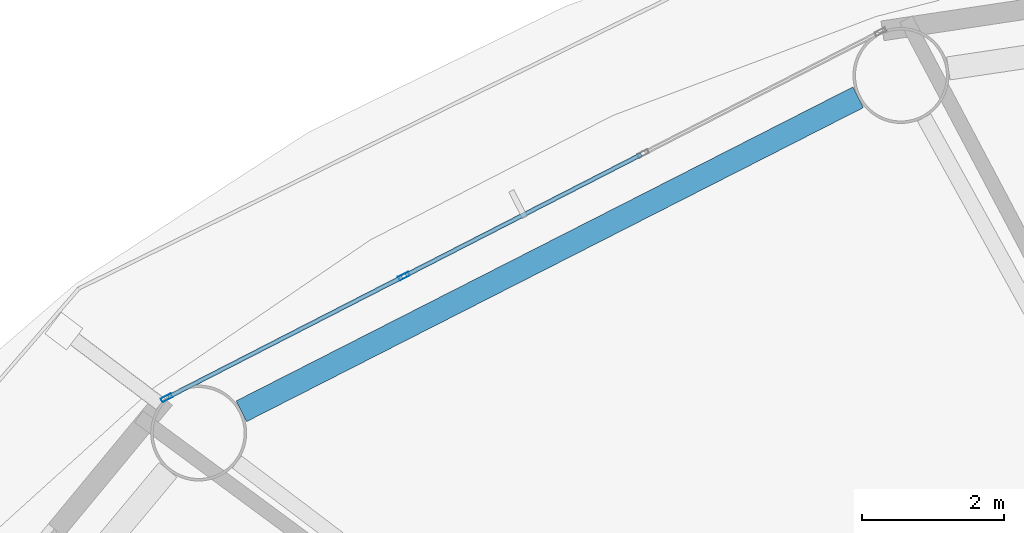
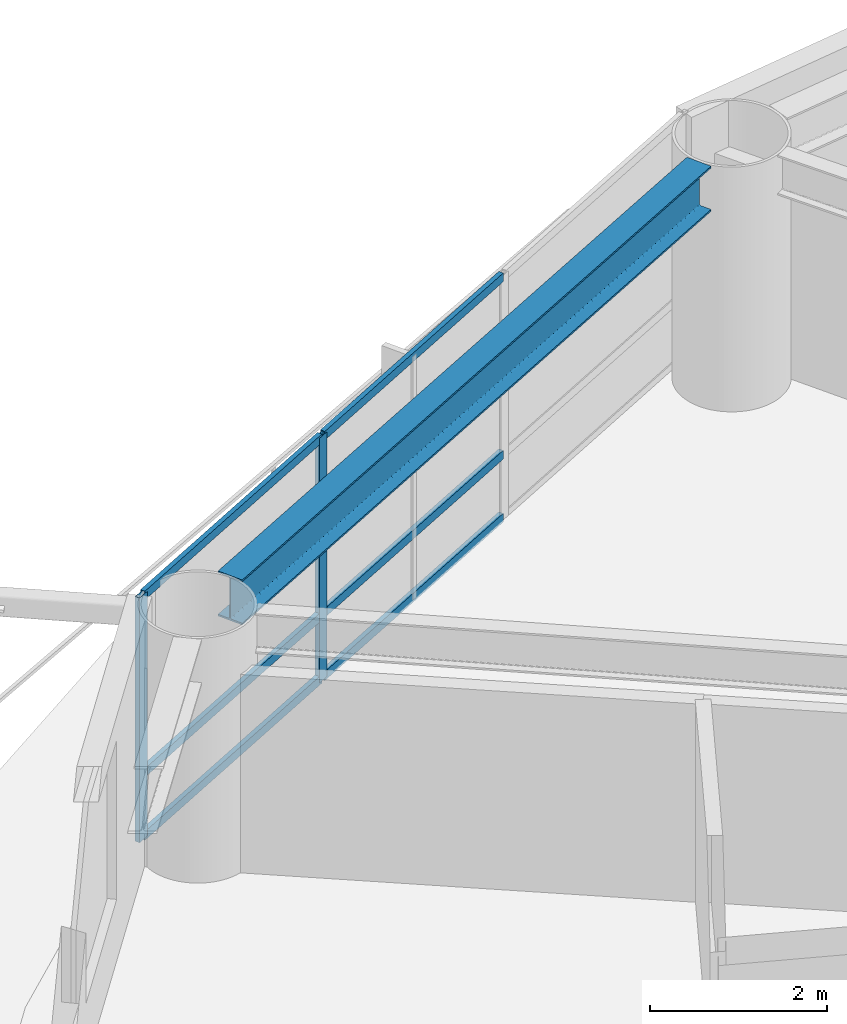
# One storey, part 10 of 26: 8 members, 1 beam, 1 element without a shape of its own.
"""IFC4 building model written with IfcOpenShell, lengths in metres."""

from ifc_helpers import new_model, si_unit, direction, frame, origin, origin_2d, place, context, subcontext, project, spatial, hollow_rectangle, i_section, extrude, material, layer, layer_set, material_profile, profile_set, type_object, element, aggregate, save


model = new_model("IFC4")

# Units and contexts
model_context = context("Model", 3, precision=1e-05, world=origin(), true_north=direction((0.0, 1.0)))
body_context = subcontext(model_context, "Body", "Model", "MODEL_VIEW")
ifc_project = project(units=[si_unit("LENGTHUNIT", "METRE"), si_unit("AREAUNIT", "SQUARE_METRE"), si_unit("VOLUMEUNIT", "CUBIC_METRE"), si_unit("PLANEANGLEUNIT", "RADIAN"), si_unit("MASSUNIT", "GRAM", prefix="KILO")], contexts=[model_context])

# Site, building, storey
site_placement = place(None, origin())
site = spatial("IfcSite", under=ifc_project, at=site_placement, CompositionType="ELEMENT")
building_placement = place(site_placement, origin())
building = spatial("IfcBuilding", under=site, at=building_placement, Name="Sarneth Arch Tower", CompositionType="ELEMENT")
storey_placement = place(building_placement, frame((0.0, 0.0, 42.60009765625)))
storey = spatial("IfcBuildingStorey", under=building, at=storey_placement, Name="L09", CompositionType="ELEMENT", Elevation=42.60009765625)

# Beam
ifc_material_1 = material(Name="Steel S355", Category="steel")
ifc_material_profile_1 = material_profile(ifc_material_1, i_section(OverallWidth=0.326904296875, OverallDepth=0.6220703125, WebThickness=0.015380859375, FlangeThickness=0.0244140625, FilletRadius=0.01904296875, at=origin_2d()), Name="W610x195")
ifc_profile_set_1 = profile_set([ifc_material_profile_1], Name="Steel S355")
beam_type = type_object("IfcBeamType", Name="BM-SPAN-610A", PredefinedType="SPANDREL", material=ifc_profile_set_1)
beam_placement = place(storey_placement, frame((35.58056640625, 63.127685546875, 3.06884765625), z_axis=(-0.8911738076, -0.453662037919, 0.0), x_axis=(0.453662037919, -0.8911738076, 0.0)))
element("IfcBeam", 1, at=beam_placement, inside=storey, type_object=beam_type, Name="L09 Perimeter spandrel beam 06", PredefinedType="SPANDREL", context=body_context, shape_type="SweptSolid", body=[
    extrude(i_section(OverallWidth=0.326904296875, OverallDepth=0.6220703125, WebThickness=0.015380859375, FlangeThickness=0.0244140625, FilletRadius=0.01904296875, at=origin_2d()), origin(), (0.0, 0.0, 1.0), 9.735107421875),
])

# Curtain wall, members
ifc_material_2 = material(Name="Anodised aluminium Type AA25 and solar-control low-e laminated IGU", Category="aluminium")
ifc_layer = layer(ifc_material_2, 0.159912109375)
ifc_layer_set = layer_set([ifc_layer], Name="Anodised aluminium Type AA25 and solar-control low-e laminated IGU")
curtain_wall_type = type_object("IfcCurtainWallType", Name="CW-HOTEL-LOW", PredefinedType="NOTDEFINED", material=ifc_layer_set)
curtain_wall_placement = place(storey_placement, origin())
curtain_wall = element("IfcCurtainWall", 2, at=curtain_wall_placement, inside=storey, type_object=curtain_wall_type, Name="L09 Unitised curtain wall facet 06", PredefinedType="NOTDEFINED")
ifc_material_3 = material(Name="Anodised Aluminium 6063-T6", Category="aluminium")
ifc_material_profile_2 = material_profile(ifc_material_3, hollow_rectangle(XDim=0.06005859375, YDim=0.159912109375, WallThickness=0.00390625, at=origin_2d()), Name="AL-MULL-160x60x4")
ifc_profile_set_2 = profile_set([ifc_material_profile_2], Name="Anodised Aluminium 6063-T6")
member_type_1 = type_object("IfcMemberType", Name="CW-MULLION", PredefinedType="MULLION", material=ifc_profile_set_2)
member_1_placement = place(storey_placement, frame((29.19140625, 60.611328125, 0.0), z_axis=(0.0, 0.0, 1.0), x_axis=(0.456245197127, -0.889854100456, 0.0)))
member_1 = element("IfcMember", 3, at=member_1_placement, type_object=member_type_1, Name="CW-SYS-3 mullion 3", PredefinedType="MULLION", context=body_context, shape_type="SweptSolid", body=[
    extrude(hollow_rectangle(XDim=0.06005859375, YDim=0.159912109375, WallThickness=0.00390625, at=origin_2d()), origin(), (0.0, 0.0, 1.0), 3.3798828125),
])
member_2_placement = place(storey_placement, frame((25.8525390625, 58.8994140625, 0.0), z_axis=(0.0, 0.0, 1.0), x_axis=(0.456245197127, -0.889854100456, 0.0)))
member_2 = element("IfcMember", 4, at=member_2_placement, type_object=member_type_1, Name="CW-SYS-3 mullion 4", PredefinedType="MULLION", context=body_context, shape_type="SweptSolid", body=[
    extrude(hollow_rectangle(XDim=0.06005859375, YDim=0.159912109375, WallThickness=0.00390625, at=origin_2d()), origin(), (0.0, 0.0, 1.0), 3.3798828125),
])
ifc_material_4 = material(Name="Anodised Aluminium 6063-T6", Category="aluminium")
ifc_material_profile_3 = material_profile(ifc_material_4, hollow_rectangle(XDim=0.06005859375, YDim=0.1201171875, WallThickness=0.00390625, at=origin_2d()), Name="AL-TRAN-120x60x4")
ifc_profile_set_3 = profile_set([ifc_material_profile_3], Name="Anodised Aluminium 6063-T6")
member_type_2 = type_object("IfcMemberType", Name="CW-TRANSOM", PredefinedType="USERDEFINED", material=ifc_profile_set_3)
member_3_placement = place(storey_placement, frame((32.530029296875, 62.322998046875, 0.02978515625), z_axis=(-0.889868677022, -0.456216766083, 0.0), x_axis=(0.456216766083, -0.889868677022, 0.0)))
member_3 = element("IfcMember", 5, at=member_3_placement, type_object=member_type_2, Name="CW-SYS-3 transom 2.1", ObjectType="TRANSOM", PredefinedType="USERDEFINED", context=body_context, shape_type="SweptSolid", body=[
    extrude(hollow_rectangle(XDim=0.06005859375, YDim=0.1201171875, WallThickness=0.00390625, at=origin_2d()), origin(), (0.0, 0.0, 1.0), 3.721923828125),
])
member_4_placement = place(storey_placement, frame((32.530029296875, 62.322998046875, 0.89990234375), z_axis=(-0.889868677022, -0.456216766083, 0.0), x_axis=(0.456216766083, -0.889868677022, 0.0)))
member_4 = element("IfcMember", 6, at=member_4_placement, type_object=member_type_2, Name="CW-SYS-3 transom 2.2", ObjectType="TRANSOM", PredefinedType="USERDEFINED", context=body_context, shape_type="SweptSolid", body=[
    extrude(hollow_rectangle(XDim=0.06005859375, YDim=0.1201171875, WallThickness=0.00390625, at=origin_2d()), origin(), (0.0, 0.0, 1.0), 3.721923828125),
])
member_5_placement = place(storey_placement, frame((32.530029296875, 62.322998046875, 3.349853515625), z_axis=(-0.889868677022, -0.456216766083, 0.0), x_axis=(0.456216766083, -0.889868677022, 0.0)))
member_5 = element("IfcMember", 7, at=member_5_placement, type_object=member_type_2, Name="CW-SYS-3 transom 2.3", ObjectType="TRANSOM", PredefinedType="USERDEFINED", context=body_context, shape_type="SweptSolid", body=[
    extrude(hollow_rectangle(XDim=0.06005859375, YDim=0.1201171875, WallThickness=0.00390625, at=origin_2d()), origin(), (0.0, 0.0, 1.0), 3.721923828125),
])
member_6_placement = place(storey_placement, frame((29.16455078125, 60.597412109375, 0.02978515625), z_axis=(-0.889871845224, -0.456210586327, 0.0), x_axis=(0.456210586327, -0.889871845224, 0.0)))
member_6 = element("IfcMember", 8, at=member_6_placement, type_object=member_type_2, Name="CW-SYS-3 transom 3.1", ObjectType="TRANSOM", PredefinedType="USERDEFINED", context=body_context, shape_type="SweptSolid", body=[
    extrude(hollow_rectangle(XDim=0.06005859375, YDim=0.1201171875, WallThickness=0.00390625, at=origin_2d()), origin(), (0.0, 0.0, 1.0), 3.69189453125),
])
member_7_placement = place(storey_placement, frame((29.16455078125, 60.597412109375, 0.89990234375), z_axis=(-0.889871845224, -0.456210586327, 0.0), x_axis=(0.456210586327, -0.889871845224, 0.0)))
member_7 = element("IfcMember", 9, at=member_7_placement, type_object=member_type_2, Name="CW-SYS-3 transom 3.2", ObjectType="TRANSOM", PredefinedType="USERDEFINED", context=body_context, shape_type="SweptSolid", body=[
    extrude(hollow_rectangle(XDim=0.06005859375, YDim=0.1201171875, WallThickness=0.00390625, at=origin_2d()), origin(), (0.0, 0.0, 1.0), 3.69189453125),
])
member_8_placement = place(storey_placement, frame((29.16455078125, 60.597412109375, 3.349853515625), z_axis=(-0.889871845224, -0.456210586327, 0.0), x_axis=(0.456210586327, -0.889871845224, 0.0)))
member_8 = element("IfcMember", 10, at=member_8_placement, type_object=member_type_2, Name="CW-SYS-3 transom 3.3", ObjectType="TRANSOM", PredefinedType="USERDEFINED", context=body_context, shape_type="SweptSolid", body=[
    extrude(hollow_rectangle(XDim=0.06005859375, YDim=0.1201171875, WallThickness=0.00390625, at=origin_2d()), origin(), (0.0, 0.0, 1.0), 3.69189453125),
])
aggregate(curtain_wall, [member_1, member_2, member_3, member_4, member_5, member_6, member_7, member_8])

save(model, "model.ifc")
